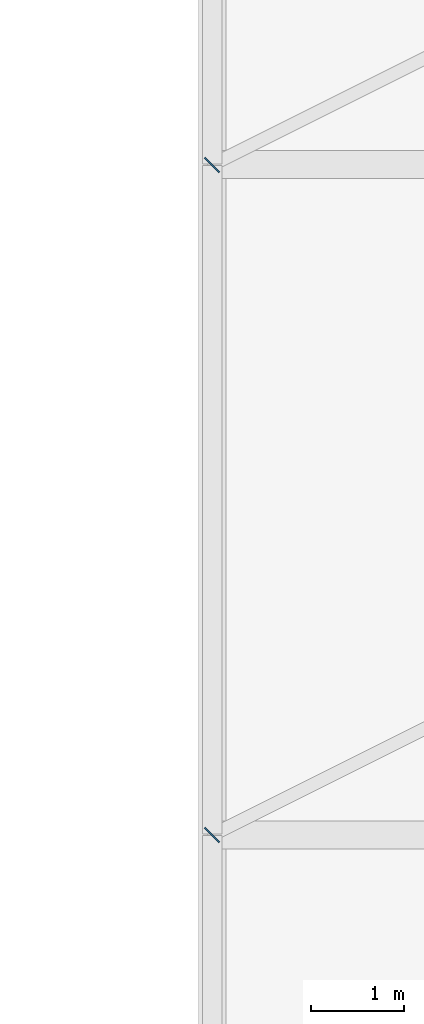
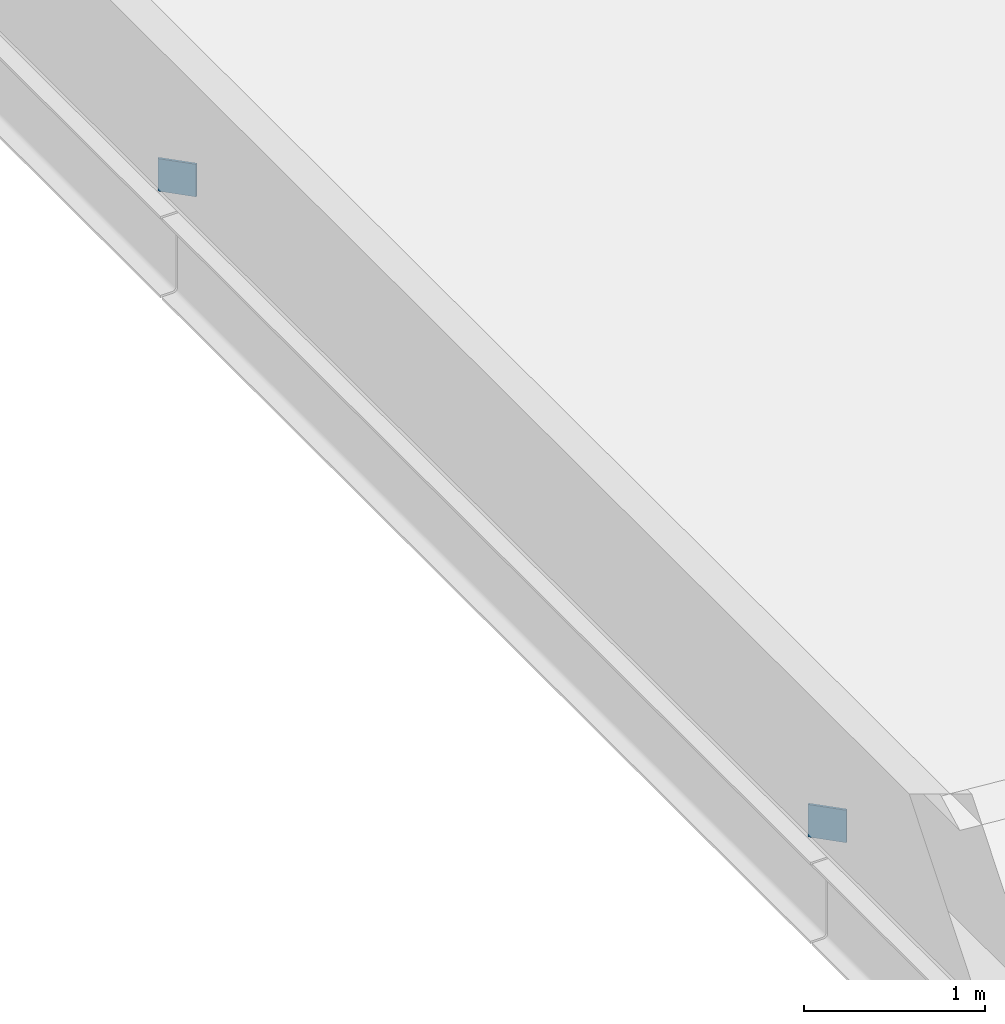
# One storey, part 25 of 44: 2 plates.
"""IFC4 building model written with IfcOpenShell, lengths in metres."""

from ifc_helpers import new_model, si_unit, direction, frame, origin, origin_2d, place, context, subcontext, project, spatial, rectangle, extrude, material, layer, layer_set, type_object, element, save


model = new_model("IFC4")

# Units and contexts
model_context = context("Model", 3, precision=1e-05, world=origin(), true_north=direction((0.0, 1.0)))
body_context = subcontext(model_context, "Body", "Model", "MODEL_VIEW")
ifc_project = project(units=[si_unit("LENGTHUNIT", "METRE"), si_unit("AREAUNIT", "SQUARE_METRE"), si_unit("VOLUMEUNIT", "CUBIC_METRE"), si_unit("PLANEANGLEUNIT", "RADIAN"), si_unit("MASSUNIT", "GRAM", prefix="KILO")], contexts=[model_context])

# Site, building, storey
site_placement = place(None, origin())
site = spatial("IfcSite", under=ifc_project, at=site_placement, CompositionType="ELEMENT")
building_placement = place(site_placement, origin())
building = spatial("IfcBuilding", under=site, at=building_placement, Name="Narikvali Park Central Library", CompositionType="ELEMENT")
storey_placement = place(building_placement, frame((0.0, 0.0, 22.800048828125)))
storey = spatial("IfcBuildingStorey", under=building, at=storey_placement, Name="L05", CompositionType="ELEMENT", Elevation=22.800048828125)

# Plates
ifc_material = material(Name="Steel S355", Category="steel")
ifc_layer = layer(ifc_material, 0.013916015625, Name="Steel S355")
ifc_layer_set = layer_set([ifc_layer], Name="Steel S355")
plate_type = type_object("IfcPlateType", Name="Steel Hollow End Cap Plate 14", PredefinedType="SHEET", material=ifc_layer_set)
for number, where, z_axis, x_axis, name in (
    (1, (28.797607421875, 71.997802734375, -0.1123046875), (0.0, 0.0, 1.0), (-0.707106781187, 0.707106781187, 0.0), "Hollow Section Steel End Cap V4-WBCAP-0-2"),
    (2, (28.797607421875, 79.19775390625, -0.1123046875), (0.0, 0.0, 1.0), (-0.707106781187, 0.707106781187, 0.0), "Hollow Section Steel End Cap V4-WBCAP-0-3"),
):
    element("IfcPlate", number, at=place(storey_placement, frame(where, z_axis=z_axis, x_axis=x_axis)), inside=storey, type_object=plate_type, Name=name, PredefinedType="SHEET", context=body_context, shape_type="SweptSolid", body=[
        extrude(rectangle(XDim=0.219970703125, YDim=0.013916015625, at=origin_2d()), origin(), (0.0, 0.0, 1.0), 0.219970703125),
    ])

save(model, "model.ifc")
